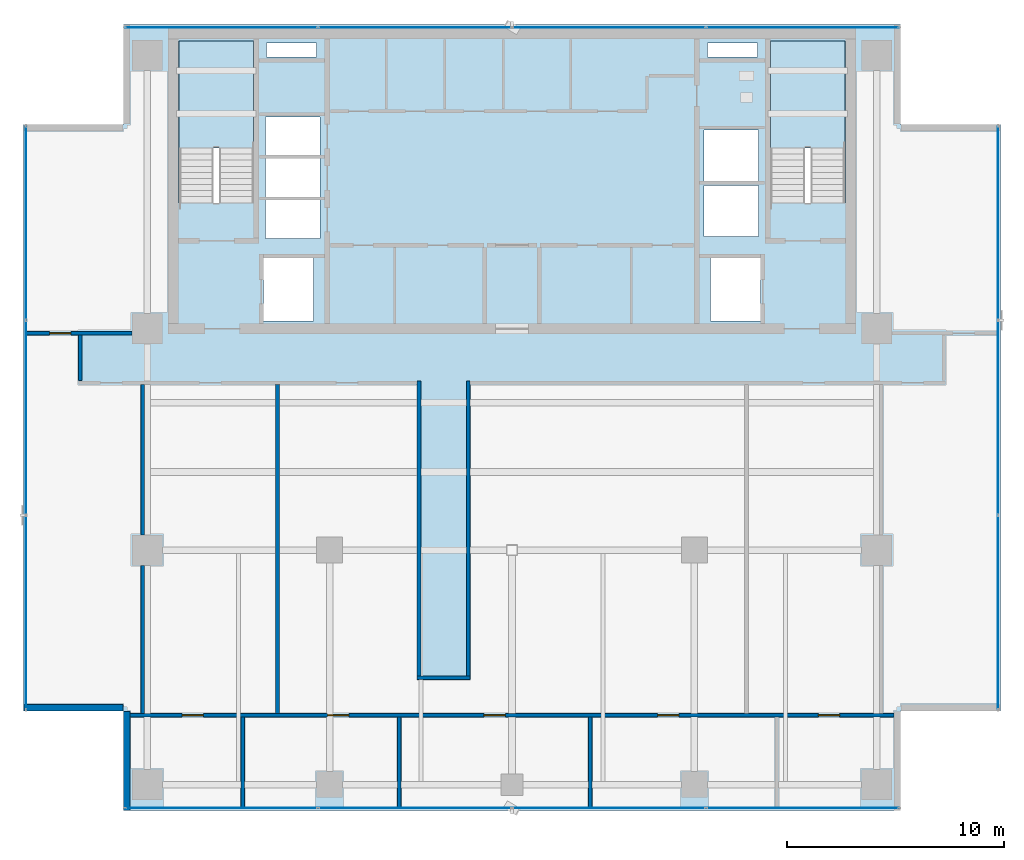
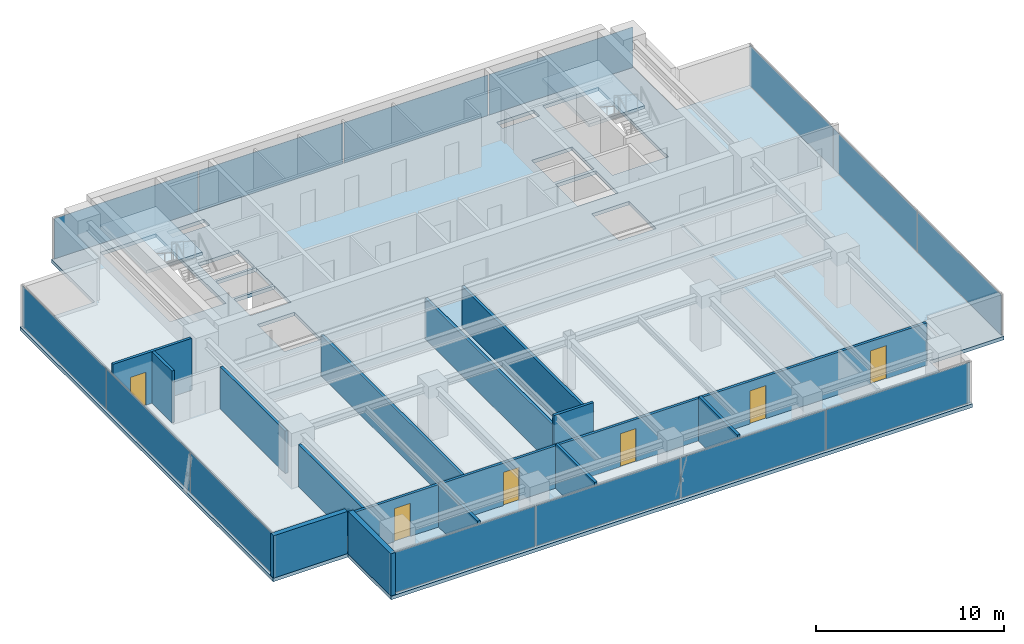
# One storey, part 19 of 26: 14 plates, 14 walls, 6 doors, 3 slabs, 6 openings, 6 elements without a shape of their own.
"""IFC4 building model written with IfcOpenShell, lengths in metres."""

from ifc_helpers import new_model, si_unit, direction, frame, frame_2d, origin, origin_2d, place, context, subcontext, project, spatial, polyline, rectangle, outline, extrude, source, transform, mapped, material, layer, layer_set, type_object, element, fill, aggregate, save


model = new_model("IFC4")

# Units and contexts
model_context = context("Model", 3, precision=1e-05, world=origin(), true_north=direction((0.0, 1.0)))
body_context = subcontext(model_context, "Body", "Model", "MODEL_VIEW")
ifc_project = project(units=[si_unit("LENGTHUNIT", "METRE"), si_unit("AREAUNIT", "SQUARE_METRE"), si_unit("VOLUMEUNIT", "CUBIC_METRE"), si_unit("PLANEANGLEUNIT", "RADIAN"), si_unit("MASSUNIT", "GRAM", prefix="KILO")], contexts=[model_context])

# Site, building, storey
site_placement = place(None, origin())
site = spatial("IfcSite", under=ifc_project, at=site_placement, CompositionType="ELEMENT")
building_placement = place(site_placement, origin())
building = spatial("IfcBuilding", under=site, at=building_placement, Name="Sumidabori Civic Tower", CompositionType="ELEMENT")
storey_placement = place(building_placement, frame((0.0, 0.0, 254.0)))
storey = spatial("IfcBuildingStorey", under=building, at=storey_placement, Name="L66", CompositionType="ELEMENT", Elevation=254.0)

# Stair, slab
ifc_material_1 = material(Name="Concrete C40/50", Category="concrete")
stair_type = type_object("IfcStairType", Name="ST-CORE-1600", PredefinedType="HALF_TURN_STAIR", material=ifc_material_1)
stair_1_placement = place(storey_placement, origin())
stair_1 = element("IfcStair", 1, at=stair_1_placement, inside=storey, type_object=stair_type, Name="L66 ST-1", PredefinedType="HALF_TURN_STAIR")
ifc_layer_1 = layer(ifc_material_1, 0.199951171875, Name="Concrete C40/50")
ifc_layer_set_1 = layer_set([ifc_layer_1], Name="Concrete C40/50")
slab_type_1 = type_object("IfcSlabType", Name="SL-LAND-200", PredefinedType="LANDING", material=ifc_layer_set_1)
slab_1_placement = place(storey_placement, frame((0.0, 0.0, 1.60009765625)))
slab_1 = element("IfcSlab", 2, at=slab_1_placement, type_object=slab_type_1, Name="ST-1 landing 1", PredefinedType="LANDING", context=body_context, shape_type="SweptSolid", body=[
    extrude(outline(polyline([(-11.89990234375, 18.52001953125), (-11.89990234375, 23.449951171875), (-15.340087890625, 23.449951171875), (-15.340087890625, 18.52001953125), (-11.89990234375, 18.52001953125)])), origin(), (0.0, 0.0, 1.0), 0.199951171875),
])
aggregate(stair_1, [slab_1])

stair_2_placement = place(storey_placement, origin())
stair_2 = element("IfcStair", 3, at=stair_2_placement, inside=storey, type_object=stair_type, Name="L66 ST-2", PredefinedType="HALF_TURN_STAIR")
slab_2_placement = place(storey_placement, frame((0.0, 0.0, 1.60009765625)))
slab_2 = element("IfcSlab", 4, at=slab_2_placement, type_object=slab_type_1, Name="ST-2 landing 1", PredefinedType="LANDING", context=body_context, shape_type="SweptSolid", body=[
    extrude(outline(polyline([(15.340087890625, 18.52001953125), (15.340087890625, 23.449951171875), (11.89990234375, 23.449951171875), (11.89990234375, 18.52001953125), (15.340087890625, 18.52001953125)])), origin(), (0.0, 0.0, 1.0), 0.199951171875),
])
aggregate(stair_2, [slab_2])

# Slab
ifc_layer_2 = layer(ifc_material_1, 0.22998046875, Name="Concrete C40/50")
ifc_layer_set_2 = layer_set([ifc_layer_2], Name="Concrete C40/50")
slab_type_2 = type_object("IfcSlabType", Name="SL-Z4-230", PredefinedType="FLOOR", material=ifc_layer_set_2)
slab_3_placement = place(storey_placement, frame((0.0, 0.0, -0.22998046875)))
element("IfcSlab", 5, at=slab_3_placement, inside=storey, type_object=slab_type_2, Name="Structural Slab L66", PredefinedType="FLOOR", context=body_context, shape_type="SweptSolid", body=[
    extrude(outline(polyline([(-17.89990234375, -12.0), (17.89990234375, -12.0), (17.89990234375, -7.39990234375), (22.5, -7.39990234375), (22.5, 19.60009765625), (17.89990234375, 19.60009765625), (17.89990234375, 24.199951171875), (-17.89990234375, 24.199951171875), (-17.89990234375, 19.60009765625), (-22.5, 19.60009765625), (-22.5, -7.39990234375), (-17.89990234375, -7.39990234375), (-17.89990234375, -12.0)]), holes=[polyline([(-11.89990234375, 16.0), (-11.89990234375, 23.449951171875), (-15.340087890625, 23.449951171875), (-15.340087890625, 16.0), (-11.89990234375, 16.0)]), polyline([(15.340087890625, 16.0), (15.340087890625, 23.449951171875), (11.89990234375, 23.449951171875), (11.89990234375, 16.0), (15.340087890625, 16.0)]), polyline([(-11.449951171875, 10.550048828125), (-9.14990234375, 10.550048828125), (-9.14990234375, 13.449951171875), (-11.449951171875, 13.449951171875), (-11.449951171875, 10.550048828125)]), polyline([(9.14990234375, 10.550048828125), (11.449951171875, 10.550048828125), (11.449951171875, 13.449951171875), (9.14990234375, 13.449951171875), (9.14990234375, 10.550048828125)]), polyline([(-11.35009765625, 14.35009765625), (-8.85009765625, 14.35009765625), (-8.85009765625, 16.1201171875), (-11.35009765625, 16.1201171875), (-11.35009765625, 14.35009765625)]), polyline([(-11.35009765625, 16.27001953125), (-8.85009765625, 16.27001953125), (-8.85009765625, 18.0400390625), (-11.35009765625, 18.0400390625), (-11.35009765625, 16.27001953125)]), polyline([(-11.35009765625, 18.18994140625), (-8.85009765625, 18.18994140625), (-8.85009765625, 19.9599609375), (-11.35009765625, 19.9599609375), (-11.35009765625, 18.18994140625)]), polyline([(8.85009765625, 14.449951171875), (11.35009765625, 14.449951171875), (11.35009765625, 16.800048828125), (8.85009765625, 16.800048828125), (8.85009765625, 14.449951171875)]), polyline([(8.85009765625, 17.0), (11.35009765625, 17.0), (11.35009765625, 19.35009765625), (8.85009765625, 19.35009765625), (8.85009765625, 17.0)]), polyline([(-11.300048828125, 22.719970703125), (-9.0, 22.719970703125), (-9.0, 23.35009765625), (-11.300048828125, 23.35009765625), (-11.300048828125, 22.719970703125)]), polyline([(9.0, 22.719970703125), (11.300048828125, 22.719970703125), (11.300048828125, 23.35009765625), (9.0, 23.35009765625), (9.0, 22.719970703125)])]), origin(), (0.0, 0.0, 1.0), 0.22998046875),
])

# Curtain wall, plates
ifc_material_2 = material(Name="Anodised Bronze Aluminium AW-6063-T6", Category="aluminium")
ifc_layer_3 = layer(ifc_material_2, 0.179931640625, Name="Anodised Bronze Aluminium AW-6063-T6")
ifc_layer_set_3 = layer_set([ifc_layer_3], Name="Anodised Bronze Aluminium AW-6063-T6")
curtain_wall_type = type_object("IfcCurtainWallType", Name="CW-SYS-5", PredefinedType="NOTDEFINED", material=ifc_layer_set_3)
curtain_wall_1_placement = place(storey_placement, origin())
curtain_wall_1 = element("IfcCurtainWall", 6, at=curtain_wall_1_placement, inside=storey, type_object=curtain_wall_type, Name="Curtain Wall CW:L66:R01", PredefinedType="NOTDEFINED")
ifc_material_3 = material(Name="Low-E Solar-Control Vision Glazing", Category="glass")
ifc_layer_4 = layer(ifc_material_3, 0.028076171875, Name="Low-E Solar-Control Vision Glazing")
ifc_layer_set_4 = layer_set([ifc_layer_4], Name="Low-E Solar-Control Vision Glazing")
plate_type = type_object("IfcPlateType", Name="CW-PNL-28", PredefinedType="CURTAIN_PANEL", material=ifc_layer_set_4)
shared_shape_1 = source(origin(), body_context, "Body", "SweptSolid", [
    extrude(rectangle(XDim=8.844970703125, YDim=0.028076171875, at=origin_2d()), origin(), (0.0, 0.0, 1.0), 2.6298828125),
])
plate_1_placement = place(storey_placement, frame((-13.387451171875, -11.8798828125, 0.06005859375), z_axis=(0.0, 0.0, 1.0), x_axis=(1.0, 0.0, 0.0)))
plate_1 = element("IfcPlate", 7, at=plate_1_placement, type_object=plate_type, Name="CW-5 panel 1.1", PredefinedType="CURTAIN_PANEL", context=body_context, shape_type="MappedRepresentation", body=[
    mapped(shared_shape_1, transform((0.0, 0.0, 0.0), x_axis=(1.0, 0.0, 0.0), y_axis=(0.0, 1.0, 0.0), z_axis=(0.0, 0.0, 1.0), scale=1.0)),
])
plate_2_placement = place(storey_placement, frame((13.387451171875, -11.8798828125, 0.06005859375), z_axis=(0.0, 0.0, 1.0), x_axis=(1.0, 0.0, 0.0)))
plate_2 = element("IfcPlate", 8, at=plate_2_placement, type_object=plate_type, Name="CW-5 panel 4.1", PredefinedType="CURTAIN_PANEL", context=body_context, shape_type="MappedRepresentation", body=[
    mapped(shared_shape_1, transform((0.0, 0.0, 0.0), x_axis=(1.0, 0.0, 0.0), y_axis=(0.0, 1.0, 0.0), z_axis=(0.0, 0.0, 1.0), scale=1.0)),
])

curtain_wall_2_placement = place(storey_placement, origin())
curtain_wall_2 = element("IfcCurtainWall", 9, at=curtain_wall_2_placement, inside=storey, type_object=curtain_wall_type, Name="Curtain Wall CW:L66:R07", PredefinedType="NOTDEFINED")
plate_3_placement = place(storey_placement, frame((13.387451171875, 24.080078125, 0.06005859375), z_axis=(0.0, 0.0, 1.0), x_axis=(-1.0, 0.0, 0.0)))
plate_3 = element("IfcPlate", 10, at=plate_3_placement, type_object=plate_type, Name="CW-5 panel 1.1", PredefinedType="CURTAIN_PANEL", context=body_context, shape_type="MappedRepresentation", body=[
    mapped(shared_shape_1, transform((0.0, 0.0, 0.0), x_axis=(1.0, 0.0, 0.0), y_axis=(0.0, 1.0, 0.0), z_axis=(0.0, 0.0, 1.0), scale=1.0)),
])
plate_4_placement = place(storey_placement, frame((-13.387451171875, 24.080078125, 0.06005859375), z_axis=(0.0, 0.0, 1.0), x_axis=(-1.0, 0.0, 0.0)))
plate_4 = element("IfcPlate", 11, at=plate_4_placement, type_object=plate_type, Name="CW-5 panel 4.1", PredefinedType="CURTAIN_PANEL", context=body_context, shape_type="MappedRepresentation", body=[
    mapped(shared_shape_1, transform((0.0, 0.0, 0.0), x_axis=(1.0, 0.0, 0.0), y_axis=(0.0, 1.0, 0.0), z_axis=(0.0, 0.0, 1.0), scale=1.0)),
])

# Plate
shared_shape_2 = source(origin(), body_context, "Body", "SweptSolid", [
    extrude(rectangle(XDim=8.875, YDim=0.028076171875, at=origin_2d()), origin(), (0.0, 0.0, 1.0), 2.6298828125),
])
plate_5_placement = place(storey_placement, frame((-4.467529296875, -11.8798828125, 0.06005859375), z_axis=(0.0, 0.0, 1.0), x_axis=(1.0, 0.0, 0.0)))
plate_5 = element("IfcPlate", 12, at=plate_5_placement, type_object=plate_type, Name="CW-5 panel 2.1", PredefinedType="CURTAIN_PANEL", context=body_context, shape_type="MappedRepresentation", body=[
    mapped(shared_shape_2, transform((0.0, 0.0, 0.0), x_axis=(1.0, 0.0, 0.0), y_axis=(0.0, 1.0, 0.0), z_axis=(0.0, 0.0, 1.0), scale=1.0)),
])

plate_6_placement = place(storey_placement, frame((4.467529296875, -11.8798828125, 0.06005859375), z_axis=(0.0, 0.0, 1.0), x_axis=(1.0, 0.0, 0.0)))
plate_6 = element("IfcPlate", 13, at=plate_6_placement, type_object=plate_type, Name="CW-5 panel 3.1", PredefinedType="CURTAIN_PANEL", context=body_context, shape_type="MappedRepresentation", body=[
    mapped(shared_shape_2, transform((0.0, 0.0, 0.0), x_axis=(1.0, 0.0, 0.0), y_axis=(0.0, 1.0, 0.0), z_axis=(0.0, 0.0, 1.0), scale=1.0)),
])

aggregate(curtain_wall_1, [plate_1, plate_5, plate_6, plate_2])

plate_7_placement = place(storey_placement, frame((4.467529296875, 24.080078125, 0.06005859375), z_axis=(0.0, 0.0, 1.0), x_axis=(-1.0, 0.0, 0.0)))
plate_7 = element("IfcPlate", 14, at=plate_7_placement, type_object=plate_type, Name="CW-5 panel 2.1", PredefinedType="CURTAIN_PANEL", context=body_context, shape_type="MappedRepresentation", body=[
    mapped(shared_shape_2, transform((0.0, 0.0, 0.0), x_axis=(1.0, 0.0, 0.0), y_axis=(0.0, 1.0, 0.0), z_axis=(0.0, 0.0, 1.0), scale=1.0)),
])

plate_8_placement = place(storey_placement, frame((-4.467529296875, 24.080078125, 0.06005859375), z_axis=(0.0, 0.0, 1.0), x_axis=(-1.0, 0.0, 0.0)))
plate_8 = element("IfcPlate", 15, at=plate_8_placement, type_object=plate_type, Name="CW-5 panel 3.1", PredefinedType="CURTAIN_PANEL", context=body_context, shape_type="MappedRepresentation", body=[
    mapped(shared_shape_2, transform((0.0, 0.0, 0.0), x_axis=(1.0, 0.0, 0.0), y_axis=(0.0, 1.0, 0.0), z_axis=(0.0, 0.0, 1.0), scale=1.0)),
])

aggregate(curtain_wall_2, [plate_3, plate_7, plate_8, plate_4])

# Curtain wall, plates
curtain_wall_3_placement = place(storey_placement, origin())
curtain_wall_3 = element("IfcCurtainWall", 16, at=curtain_wall_3_placement, inside=storey, type_object=curtain_wall_type, Name="Curtain Wall CW:L66:R04", PredefinedType="NOTDEFINED")
shared_shape_3 = source(origin(), body_context, "Body", "SweptSolid", [
    extrude(rectangle(XDim=8.889892578125, YDim=0.028076171875, at=origin_2d()), origin(), (0.0, 0.0, 1.0), 2.6298828125),
])
plate_9_placement = place(storey_placement, frame((22.3798828125, -2.864990234375, 0.06005859375), z_axis=(0.0, 0.0, 1.0), x_axis=(0.0, 1.0, 0.0)))
plate_9 = element("IfcPlate", 17, at=plate_9_placement, type_object=plate_type, Name="CW-5 panel 1.1", PredefinedType="CURTAIN_PANEL", context=body_context, shape_type="MappedRepresentation", body=[
    mapped(shared_shape_3, transform((0.0, 0.0, 0.0), x_axis=(1.0, 0.0, 0.0), y_axis=(0.0, 1.0, 0.0), z_axis=(0.0, 0.0, 1.0), scale=1.0)),
])
plate_10_placement = place(storey_placement, frame((22.3798828125, 15.06494140625, 0.06005859375), z_axis=(0.0, 0.0, 1.0), x_axis=(0.0, 1.0, 0.0)))
plate_10 = element("IfcPlate", 18, at=plate_10_placement, type_object=plate_type, Name="CW-5 panel 3.1", PredefinedType="CURTAIN_PANEL", context=body_context, shape_type="MappedRepresentation", body=[
    mapped(shared_shape_3, transform((0.0, 0.0, 0.0), x_axis=(1.0, 0.0, 0.0), y_axis=(0.0, 1.0, 0.0), z_axis=(0.0, 0.0, 1.0), scale=1.0)),
])

curtain_wall_4_placement = place(storey_placement, origin())
curtain_wall_4 = element("IfcCurtainWall", 19, at=curtain_wall_4_placement, inside=storey, type_object=curtain_wall_type, Name="Curtain Wall CW:L66:R10", PredefinedType="NOTDEFINED")
plate_11_placement = place(storey_placement, frame((-22.3798828125, 15.06494140625, 0.06005859375), z_axis=(0.0, 0.0, 1.0), x_axis=(0.0, -1.0, 0.0)))
plate_11 = element("IfcPlate", 20, at=plate_11_placement, type_object=plate_type, Name="CW-5 panel 1.1", PredefinedType="CURTAIN_PANEL", context=body_context, shape_type="MappedRepresentation", body=[
    mapped(shared_shape_3, transform((0.0, 0.0, 0.0), x_axis=(1.0, 0.0, 0.0), y_axis=(0.0, 1.0, 0.0), z_axis=(0.0, 0.0, 1.0), scale=1.0)),
])
plate_12_placement = place(storey_placement, frame((-22.3798828125, -2.864990234375, 0.06005859375), z_axis=(0.0, 0.0, 1.0), x_axis=(0.0, -1.0, 0.0)))
plate_12 = element("IfcPlate", 21, at=plate_12_placement, type_object=plate_type, Name="CW-5 panel 3.1", PredefinedType="CURTAIN_PANEL", context=body_context, shape_type="MappedRepresentation", body=[
    mapped(shared_shape_3, transform((0.0, 0.0, 0.0), x_axis=(1.0, 0.0, 0.0), y_axis=(0.0, 1.0, 0.0), z_axis=(0.0, 0.0, 1.0), scale=1.0)),
])

# Plate
shared_shape_4 = source(origin(), body_context, "Body", "SweptSolid", [
    extrude(rectangle(XDim=8.919921875, YDim=0.028076171875, at=origin_2d()), origin(), (0.0, 0.0, 1.0), 2.6298828125),
])
plate_13_placement = place(storey_placement, frame((22.3798828125, 6.10009765625, 0.06005859375), z_axis=(0.0, 0.0, 1.0), x_axis=(0.0, 1.0, 0.0)))
plate_13 = element("IfcPlate", 22, at=plate_13_placement, type_object=plate_type, Name="CW-5 panel 2.1", PredefinedType="CURTAIN_PANEL", context=body_context, shape_type="MappedRepresentation", body=[
    mapped(shared_shape_4, transform((0.0, 0.0, 0.0), x_axis=(1.0, 0.0, 0.0), y_axis=(0.0, 1.0, 0.0), z_axis=(0.0, 0.0, 1.0), scale=1.0)),
])

aggregate(curtain_wall_3, [plate_9, plate_13, plate_10])

plate_14_placement = place(storey_placement, frame((-22.3798828125, 6.10009765625, 0.06005859375), z_axis=(0.0, 0.0, 1.0), x_axis=(0.0, -1.0, 0.0)))
plate_14 = element("IfcPlate", 23, at=plate_14_placement, type_object=plate_type, Name="CW-5 panel 2.1", PredefinedType="CURTAIN_PANEL", context=body_context, shape_type="MappedRepresentation", body=[
    mapped(shared_shape_4, transform((0.0, 0.0, 0.0), x_axis=(1.0, 0.0, 0.0), y_axis=(0.0, 1.0, 0.0), z_axis=(0.0, 0.0, 1.0), scale=1.0)),
])

aggregate(curtain_wall_4, [plate_11, plate_14, plate_12])

# Walls
ifc_material_4 = material(Name="Precast concrete C40/50", Category="concrete")
ifc_layer_5 = layer(ifc_material_4, 0.300048828125, Name="Precast concrete C40/50")
ifc_layer_set_5 = layer_set([ifc_layer_5], Name="Precast concrete C40/50")
wall_type_1 = type_object("IfcWallType", Name="WL-EXT-POD300", PredefinedType="STANDARD", material=ifc_layer_set_5)
shared_shape_5 = source(origin(), body_context, "Body", "SweptSolid", [
    extrude(rectangle(XDim=4.56005859375, YDim=0.300048828125, at=frame_2d((2.280029296875, 0.0))), origin(), (0.0, 0.0, 1.0), 2.75),
])
for number, where, z_axis, x_axis, name in (
    (24, (-22.47998046875, -7.25, 0.0), (0.0, 0.0, 1.0), (1.0, 0.0, 0.0), "Notched Corner Spandrel Band L66-11"),
    (25, (-17.75, -7.419921875, 0.0), (0.0, 0.0, 1.0), (0.0, -1.0, 0.0), "Notched Corner Spandrel Band L66-12"),
):
    element("IfcWall", number, at=place(storey_placement, frame(where, z_axis=z_axis, x_axis=x_axis)), inside=storey, type_object=wall_type_1, Name=name, PredefinedType="STANDARD", context=body_context, shape_type="MappedRepresentation", body=[
        mapped(shared_shape_5, transform((0.0, 0.0, 0.0), x_axis=(1.0, 0.0, 0.0), y_axis=(0.0, 1.0, 0.0), z_axis=(0.0, 0.0, 1.0), scale=1.0)),
    ])

# Wall, opening, door
ifc_material_5 = material(Name="Gypsum Plasterboard Acoustic Partition")
ifc_layer_6 = layer(ifc_material_5, 0.1650390625, Name="Gypsum Plasterboard Acoustic Partition")
ifc_layer_set_6 = layer_set([ifc_layer_6], Name="Gypsum Plasterboard Acoustic Partition")
wall_type_2 = type_object("IfcWallType", Name="WL-PART-165", PredefinedType="PARTITIONING", material=ifc_layer_set_6)
shared_shape_6 = source(origin(), body_context, "Body", "SweptSolid", [
    extrude(rectangle(XDim=4.840087890625, YDim=0.1650390625, at=frame_2d((2.419921875, 0.0))), origin(), (0.0, 0.0, 1.0), 3.3701171875),
])
wall_1_placement = place(storey_placement, frame((-22.35009765625, 10.0, 0.0), z_axis=(0.0, 0.0, 1.0), x_axis=(1.0, 0.0, 0.0)))
wall_1 = element("IfcWall", 26, at=wall_1_placement, inside=storey, type_object=wall_type_2, Name="Interior Partition WL:L66:FLK-NW", PredefinedType="PARTITIONING", context=body_context, shape_type="MappedRepresentation", body=[
    mapped(shared_shape_6, transform((0.0, 0.0, 0.0), x_axis=(1.0, 0.0, 0.0), y_axis=(0.0, 1.0, 0.0), z_axis=(0.0, 0.0, 1.0), scale=1.0)),
])
opening_1_placement = place(wall_1_placement, frame((1.050048828125, 0.0, 0.0)))
opening_1 = element("IfcOpeningElement", 27, at=opening_1_placement, cuts=wall_1, Name="Opening DR-3", PredefinedType="OPENING", context=body_context, shape_type="SweptSolid", body=[
    extrude(rectangle(XDim=0.97998046875, YDim=2.14990234375, at=frame_2d((0.489990234375, 1.074951171875))), frame((0.0, 0.094482421875, 0.0), z_axis=(0.0, -1.0, 0.0), x_axis=(1.0, 0.0, 0.0)), (0.0, 0.0, 1.0), 0.18896484375),
])
ifc_material_6 = material(Name="Japanese Hinoki Timber", Category="wood")
door_type = type_object("IfcDoorType", Name="DR-INT-980", OperationType="NOTDEFINED", PredefinedType="DOOR", material=ifc_material_6)
shared_shape_7 = source(origin(), body_context, "Body", "SweptSolid", [
    extrude(rectangle(XDim=0.97998046875, YDim=2.14990234375, at=frame_2d((0.489990234375, 1.074951171875))), frame((0.0, 0.02490234375, 0.0), z_axis=(0.0, -1.0, 0.0), x_axis=(1.0, 0.0, 0.0)), (0.0, 0.0, 1.0), 0.050048828125),
])
door_1_placement = place(opening_1_placement, origin())
door_1 = element("IfcDoor", 28, at=door_1_placement, inside=storey, type_object=door_type, Name="Door DR:L66:D06", OperationType="SINGLE_SWING_RIGHT", OverallHeight=2.14990234375, OverallWidth=0.97998046875, PredefinedType="DOOR", context=body_context, shape_type="MappedRepresentation", body=[
    mapped(shared_shape_7, transform((0.0, 0.0, 0.0), x_axis=(1.0, 0.0, 0.0), y_axis=(0.0, 1.0, 0.0), z_axis=(0.0, 0.0, 1.0), scale=1.0)),
])
fill(opening_1, door_1)

# Walls
shared_shape_8 = source(origin(), body_context, "Body", "SweptSolid", [
    extrude(rectangle(XDim=2.429931640625, YDim=0.1650390625, at=frame_2d((1.21484375, 0.0))), origin(), (0.0, 0.0, 1.0), 3.3701171875),
])
wall_2_placement = place(storey_placement, frame((-4.364990234375, -5.882568359375, 0.0), z_axis=(0.0, 0.0, 1.0), x_axis=(1.0, 0.0, 0.0)))
element("IfcWall", 29, at=wall_2_placement, inside=storey, type_object=wall_type_2, Name="Interior Partition WL:L66:CORR-CAP-C", PredefinedType="PARTITIONING", context=body_context, shape_type="MappedRepresentation", body=[
    mapped(shared_shape_8, transform((0.0, 0.0, 0.0), x_axis=(1.0, 0.0, 0.0), y_axis=(0.0, 1.0, 0.0), z_axis=(0.0, 0.0, 1.0), scale=1.0)),
])
shared_shape_9 = source(origin(), body_context, "Body", "SweptSolid", [
    extrude(rectangle(XDim=2.107666015625, YDim=0.1650390625, at=frame_2d((1.0537109375, 0.0))), origin(), (0.0, 0.0, 1.0), 3.3701171875),
])
wall_3_placement = place(storey_placement, frame((-19.882568359375, 7.804931640625, 0.0), z_axis=(0.0, 0.0, 1.0), x_axis=(0.0, 1.0, 0.0)))
element("IfcWall", 30, at=wall_3_placement, inside=storey, type_object=wall_type_2, Name="Interior Partition WL:L66:CORR-VNW", PredefinedType="PARTITIONING", context=body_context, shape_type="MappedRepresentation", body=[
    mapped(shared_shape_9, transform((0.0, 0.0, 0.0), x_axis=(1.0, 0.0, 0.0), y_axis=(0.0, 1.0, 0.0), z_axis=(0.0, 0.0, 1.0), scale=1.0)),
])
shared_shape_10 = source(origin(), body_context, "Body", "SweptSolid", [
    extrude(rectangle(XDim=13.594970703125, YDim=0.1650390625, at=frame_2d((6.79736328125, 0.0))), origin(), (0.0, 0.0, 1.0), 2.655029296875),
])
for number, where, z_axis, x_axis, name in (
    (31, (-4.282470703125, -5.794921875, 0.0), (0.0, 0.0, 1.0), (0.0, 1.0, 0.0), "Interior Partition WL:L66:CORR-VC-W"),
    (32, (-2.017578125, -5.794921875, 0.0), (0.0, 0.0, 1.0), (0.0, 1.0, 0.0), "Interior Partition WL:L66:CORR-VC-E"),
):
    element("IfcWall", number, at=place(storey_placement, frame(where, z_axis=z_axis, x_axis=x_axis)), inside=storey, type_object=wall_type_2, Name=name, PredefinedType="PARTITIONING", context=body_context, shape_type="MappedRepresentation", body=[
        mapped(shared_shape_10, transform((0.0, 0.0, 0.0), x_axis=(1.0, 0.0, 0.0), y_axis=(0.0, 1.0, 0.0), z_axis=(0.0, 0.0, 1.0), scale=1.0)),
    ])

# Wall, openings, doors
shared_shape_11 = source(origin(), body_context, "Body", "SweptSolid", [
    extrude(rectangle(XDim=35.18408203125, YDim=0.1650390625, at=frame_2d((17.592041015625, 0.0))), origin(), (0.0, 0.0, 1.0), 2.7548828125),
])
wall_4_placement = place(storey_placement, frame((-17.592041015625, -7.60009765625, 0.0), z_axis=(0.0, 0.0, 1.0), x_axis=(1.0, 0.0, 0.0)))
wall_4 = element("IfcWall", 33, at=wall_4_placement, inside=storey, type_object=wall_type_2, Name="Interior Partition WL:L66:BAND-Y", PredefinedType="PARTITIONING", context=body_context, shape_type="MappedRepresentation", body=[
    mapped(shared_shape_11, transform((0.0, 0.0, 0.0), x_axis=(1.0, 0.0, 0.0), y_axis=(0.0, 1.0, 0.0), z_axis=(0.0, 0.0, 1.0), scale=1.0)),
])
opening_2_placement = place(wall_4_placement, frame((2.402099609375, 0.0, 0.0)))
opening_2 = element("IfcOpeningElement", 34, at=opening_2_placement, cuts=wall_4, Name="Opening DR-3", PredefinedType="OPENING", context=body_context, shape_type="SweptSolid", body=[
    extrude(rectangle(XDim=0.97998046875, YDim=2.14990234375, at=frame_2d((0.489990234375, 1.074951171875))), frame((0.0, 0.094482421875, 0.0), z_axis=(0.0, -1.0, 0.0), x_axis=(1.0, 0.0, 0.0)), (0.0, 0.0, 1.0), 0.18896484375),
])
opening_3_placement = place(wall_4_placement, frame((31.701904296875, 0.0, 0.0)))
opening_3 = element("IfcOpeningElement", 35, at=opening_3_placement, cuts=wall_4, Name="Opening DR-3", PredefinedType="OPENING", context=body_context, shape_type="SweptSolid", body=[
    extrude(rectangle(XDim=0.97998046875, YDim=2.14990234375, at=frame_2d((0.489990234375, 1.074951171875))), frame((0.0, 0.094482421875, 0.0), z_axis=(0.0, -1.0, 0.0), x_axis=(1.0, 0.0, 0.0)), (0.0, 0.0, 1.0), 0.18896484375),
])
opening_4_placement = place(wall_4_placement, frame((9.10205078125, 0.0, 0.0)))
opening_4 = element("IfcOpeningElement", 36, at=opening_4_placement, cuts=wall_4, Name="Opening DR-3", PredefinedType="OPENING", context=body_context, shape_type="SweptSolid", body=[
    extrude(rectangle(XDim=0.97998046875, YDim=2.14990234375, at=frame_2d((0.489990234375, 1.074951171875))), frame((0.0, 0.094482421875, 0.0), z_axis=(0.0, -1.0, 0.0), x_axis=(1.0, 0.0, 0.0)), (0.0, 0.0, 1.0), 0.18896484375),
])
opening_5_placement = place(wall_4_placement, frame((16.302001953125, 0.0, 0.0)))
opening_5 = element("IfcOpeningElement", 37, at=opening_5_placement, cuts=wall_4, Name="Opening DR-3", PredefinedType="OPENING", context=body_context, shape_type="SweptSolid", body=[
    extrude(rectangle(XDim=0.97998046875, YDim=2.14990234375, at=frame_2d((0.489990234375, 1.074951171875))), frame((0.0, 0.094482421875, 0.0), z_axis=(0.0, -1.0, 0.0), x_axis=(1.0, 0.0, 0.0)), (0.0, 0.0, 1.0), 0.18896484375),
])
opening_6_placement = place(wall_4_placement, frame((24.302001953125, 0.0, 0.0)))
opening_6 = element("IfcOpeningElement", 38, at=opening_6_placement, cuts=wall_4, Name="Opening DR-3", PredefinedType="OPENING", context=body_context, shape_type="SweptSolid", body=[
    extrude(rectangle(XDim=0.97998046875, YDim=2.14990234375, at=frame_2d((0.489990234375, 1.074951171875))), frame((0.0, 0.094482421875, 0.0), z_axis=(0.0, -1.0, 0.0), x_axis=(1.0, 0.0, 0.0)), (0.0, 0.0, 1.0), 0.18896484375),
])
door_2_placement = place(opening_2_placement, origin())
door_2 = element("IfcDoor", 39, at=door_2_placement, inside=storey, type_object=door_type, Name="Door DR:L66:D08", OperationType="SINGLE_SWING_RIGHT", OverallHeight=2.14990234375, OverallWidth=0.97998046875, PredefinedType="DOOR", context=body_context, shape_type="MappedRepresentation", body=[
    mapped(shared_shape_7, transform((0.0, 0.0, 0.0), x_axis=(1.0, 0.0, 0.0), y_axis=(0.0, 1.0, 0.0), z_axis=(0.0, 0.0, 1.0), scale=1.0)),
])
fill(opening_2, door_2)
door_3_placement = place(opening_3_placement, origin())
door_3 = element("IfcDoor", 40, at=door_3_placement, inside=storey, type_object=door_type, Name="Door DR:L66:D09", OperationType="SINGLE_SWING_LEFT", OverallHeight=2.14990234375, OverallWidth=0.97998046875, PredefinedType="DOOR", context=body_context, shape_type="MappedRepresentation", body=[
    mapped(shared_shape_7, transform((0.0, 0.0, 0.0), x_axis=(1.0, 0.0, 0.0), y_axis=(0.0, 1.0, 0.0), z_axis=(0.0, 0.0, 1.0), scale=1.0)),
])
fill(opening_3, door_3)
door_4_placement = place(opening_4_placement, origin())
door_4 = element("IfcDoor", 41, at=door_4_placement, inside=storey, type_object=door_type, Name="Door DR:L66:D10", OperationType="SINGLE_SWING_RIGHT", OverallHeight=2.14990234375, OverallWidth=0.97998046875, PredefinedType="DOOR", context=body_context, shape_type="MappedRepresentation", body=[
    mapped(shared_shape_7, transform((0.0, 0.0, 0.0), x_axis=(1.0, 0.0, 0.0), y_axis=(0.0, 1.0, 0.0), z_axis=(0.0, 0.0, 1.0), scale=1.0)),
])
fill(opening_4, door_4)
door_5_placement = place(opening_5_placement, origin())
door_5 = element("IfcDoor", 42, at=door_5_placement, inside=storey, type_object=door_type, Name="Door DR:L66:D11", OperationType="SINGLE_SWING_LEFT", OverallHeight=2.14990234375, OverallWidth=0.97998046875, PredefinedType="DOOR", context=body_context, shape_type="MappedRepresentation", body=[
    mapped(shared_shape_7, transform((0.0, 0.0, 0.0), x_axis=(1.0, 0.0, 0.0), y_axis=(0.0, 1.0, 0.0), z_axis=(0.0, 0.0, 1.0), scale=1.0)),
])
fill(opening_5, door_5)
door_6_placement = place(opening_6_placement, origin())
door_6 = element("IfcDoor", 43, at=door_6_placement, inside=storey, type_object=door_type, Name="Door DR:L66:D12", OperationType="SINGLE_SWING_RIGHT", OverallHeight=2.14990234375, OverallWidth=0.97998046875, PredefinedType="DOOR", context=body_context, shape_type="MappedRepresentation", body=[
    mapped(shared_shape_7, transform((0.0, 0.0, 0.0), x_axis=(1.0, 0.0, 0.0), y_axis=(0.0, 1.0, 0.0), z_axis=(0.0, 0.0, 1.0), scale=1.0)),
])
fill(opening_6, door_6)

# Walls
shared_shape_12 = source(origin(), body_context, "Body", "SweptSolid", [
    extrude(rectangle(XDim=6.802490234375, YDim=0.1650390625, at=frame_2d((3.4013671875, 0.0))), origin(), (0.0, 0.0, 1.0), 2.7548828125),
])
wall_5_placement = place(storey_placement, frame((-17.0, -7.512451171875, 0.0), z_axis=(0.0, 0.0, 1.0), x_axis=(0.0, 1.0, 0.0)))
element("IfcWall", 44, at=wall_5_placement, inside=storey, type_object=wall_type_2, Name="Interior Partition WL:L66:VX-N1-1", PredefinedType="PARTITIONING", context=body_context, shape_type="MappedRepresentation", body=[
    mapped(shared_shape_12, transform((0.0, 0.0, 0.0), x_axis=(1.0, 0.0, 0.0), y_axis=(0.0, 1.0, 0.0), z_axis=(0.0, 0.0, 1.0), scale=1.0)),
])
shared_shape_13 = source(origin(), body_context, "Body", "SweptSolid", [
    extrude(rectangle(XDim=6.919921875, YDim=0.1650390625, at=frame_2d((3.4599609375, 0.0))), origin(), (0.0, 0.0, 1.0), 2.7548828125),
])
wall_6_placement = place(storey_placement, frame((-17.0, 0.7099609375, 0.0), z_axis=(0.0, 0.0, 1.0), x_axis=(0.0, 1.0, 0.0)))
element("IfcWall", 45, at=wall_6_placement, inside=storey, type_object=wall_type_2, Name="Interior Partition WL:L66:VX-N1-2", PredefinedType="PARTITIONING", context=body_context, shape_type="MappedRepresentation", body=[
    mapped(shared_shape_13, transform((0.0, 0.0, 0.0), x_axis=(1.0, 0.0, 0.0), y_axis=(0.0, 1.0, 0.0), z_axis=(0.0, 0.0, 1.0), scale=1.0)),
])
shared_shape_14 = source(origin(), body_context, "Body", "SweptSolid", [
    extrude(rectangle(XDim=15.142333984375, YDim=0.1650390625, at=frame_2d((7.5712890625, 0.0))), origin(), (0.0, 0.0, 1.0), 2.655029296875),
])
wall_7_placement = place(storey_placement, frame((-10.800048828125, -7.512451171875, 0.0), z_axis=(0.0, 0.0, 1.0), x_axis=(0.0, 1.0, 0.0)))
element("IfcWall", 46, at=wall_7_placement, inside=storey, type_object=wall_type_2, Name="Interior Partition WL:L66:VX-N2", PredefinedType="PARTITIONING", context=body_context, shape_type="MappedRepresentation", body=[
    mapped(shared_shape_14, transform((0.0, 0.0, 0.0), x_axis=(1.0, 0.0, 0.0), y_axis=(0.0, 1.0, 0.0), z_axis=(0.0, 0.0, 1.0), scale=1.0)),
])
shared_shape_15 = source(origin(), body_context, "Body", "SweptSolid", [
    extrude(rectangle(XDim=4.16259765625, YDim=0.1650390625, at=frame_2d((2.081298828125, 0.0))), origin(), (0.0, 0.0, 1.0), 2.905029296875),
])
for number, where, z_axis, x_axis, name in (
    (47, (-12.39990234375, -11.85009765625, 0.0), (0.0, 0.0, 1.0), (0.0, 1.0, 0.0), "Interior Partition WL:L66:VX-S2"),
    (48, (-5.199951171875, -11.85009765625, 0.0), (0.0, 0.0, 1.0), (0.0, 1.0, 0.0), "Interior Partition WL:L66:VX-S3"),
    (49, (3.60009765625, -11.85009765625, 0.0), (0.0, 0.0, 1.0), (0.0, 1.0, 0.0), "Interior Partition WL:L66:VX-S4"),
):
    element("IfcWall", number, at=place(storey_placement, frame(where, z_axis=z_axis, x_axis=x_axis)), inside=storey, type_object=wall_type_2, Name=name, PredefinedType="PARTITIONING", context=body_context, shape_type="MappedRepresentation", body=[
        mapped(shared_shape_15, transform((0.0, 0.0, 0.0), x_axis=(1.0, 0.0, 0.0), y_axis=(0.0, 1.0, 0.0), z_axis=(0.0, 0.0, 1.0), scale=1.0)),
    ])

save(model, "model.ifc")
